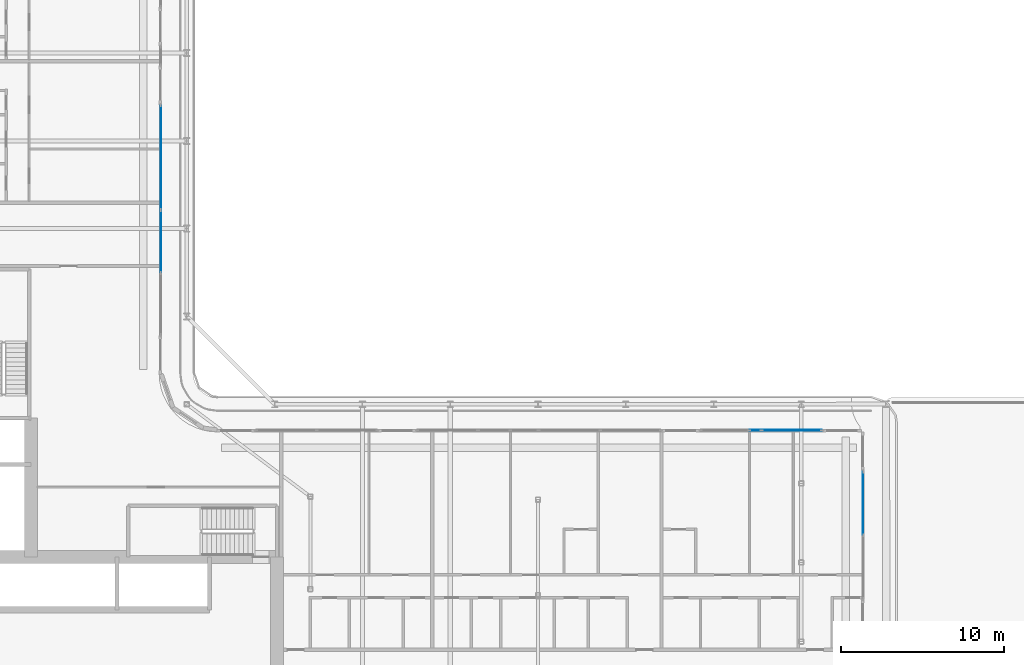
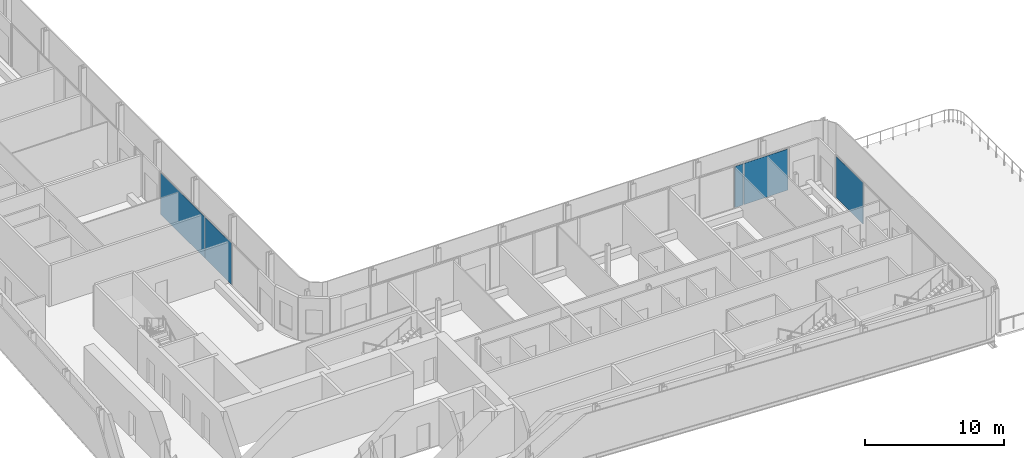
# One storey, part 10 of 27: 5 plates, 4 elements without a shape of their own.
"""IFC4 building model written with IfcOpenShell, lengths in metres."""

from ifc_helpers import new_model, si_unit, direction, frame, origin, origin_2d, place, context, subcontext, project, spatial, rectangle, extrude, material, layer, layer_set, type_object, element, aggregate, save


model = new_model("IFC4")

# Units and contexts
model_context = context("Model", 3, precision=1e-05, world=origin(), true_north=direction((0.0, 1.0)))
body_context = subcontext(model_context, "Body", "Model", "MODEL_VIEW")
ifc_project = project(units=[si_unit("LENGTHUNIT", "METRE"), si_unit("AREAUNIT", "SQUARE_METRE"), si_unit("VOLUMEUNIT", "CUBIC_METRE"), si_unit("PLANEANGLEUNIT", "RADIAN"), si_unit("MASSUNIT", "GRAM", prefix="KILO")], contexts=[model_context])

# Site, building, storey
site_placement = place(None, origin())
site = spatial("IfcSite", under=ifc_project, at=site_placement, CompositionType="ELEMENT")
building_placement = place(site_placement, origin())
building = spatial("IfcBuilding", under=site, at=building_placement, Name="Kheshtan School and Residences Tower", CompositionType="ELEMENT")
storey_placement = place(building_placement, frame((0.0, 0.0, 152.60009765625)))
storey = spatial("IfcBuildingStorey", under=building, at=storey_placement, Name="L35", CompositionType="ELEMENT", Elevation=152.60009765625)

# Curtain wall, plate
ifc_material = material(Name="Clear low-e glass in thermally broken aluminium frame", Category="aluminium")
ifc_layer_1 = layer(ifc_material, 0.199951171875)
ifc_layer_set_1 = layer_set([ifc_layer_1], Name="Curtain wall CW-L")
curtain_wall_type = type_object("IfcCurtainWallType", Name="Curtain wall CW-L", PredefinedType="NOTDEFINED", material=ifc_layer_set_1)
curtain_wall_1_placement = place(storey_placement, origin())
curtain_wall_1 = element("IfcCurtainWall", 1, at=curtain_wall_1_placement, inside=storey, type_object=curtain_wall_type, Name="Curtain wall CWL8h", PredefinedType="NOTDEFINED")
ifc_layer_2 = layer(ifc_material, 0.031982421875)
ifc_layer_set_2 = layer_set([ifc_layer_2], Name="CW-L glass panel")
plate_type = type_object("IfcPlateType", Name="CW-L glass panel", PredefinedType="CURTAIN_PANEL", material=ifc_layer_set_2)
plate_1_placement = place(storey_placement, frame((46.0, 60.77099609375, 0.0), z_axis=(0.0, 0.0, 1.0), x_axis=(0.0, -1.0, 0.0)))
plate_1 = element("IfcPlate", 2, at=plate_1_placement, type_object=plate_type, Name="CWL8h panel 1.1", PredefinedType="CURTAIN_PANEL", context=body_context, shape_type="SweptSolid", body=[
    extrude(rectangle(XDim=6.3740234375, YDim=0.031982421875, at=origin_2d()), origin(), (0.0, 0.0, 1.0), 3.6298828125),
])
aggregate(curtain_wall_1, [plate_1])

curtain_wall_2_placement = place(storey_placement, origin())
curtain_wall_2 = element("IfcCurtainWall", 3, at=curtain_wall_2_placement, inside=storey, type_object=curtain_wall_type, Name="Curtain wall CWL8", PredefinedType="NOTDEFINED")
plate_2_placement = place(storey_placement, frame((46.0, 55.615478515625, 0.0), z_axis=(0.0, 0.0, 1.0), x_axis=(0.0, -1.0, 0.0)))
plate_2 = element("IfcPlate", 4, at=plate_2_placement, type_object=plate_type, Name="CWL8 panel 1.1", PredefinedType="CURTAIN_PANEL", context=body_context, shape_type="SweptSolid", body=[
    extrude(rectangle(XDim=3.81689453125, YDim=0.031982421875, at=origin_2d()), origin(), (0.0, 0.0, 1.0), 3.6298828125),
])
aggregate(curtain_wall_2, [plate_2])

# Curtain wall, plates
curtain_wall_3_placement = place(storey_placement, origin())
curtain_wall_3 = element("IfcCurtainWall", 5, at=curtain_wall_3_placement, inside=storey, type_object=curtain_wall_type, Name="Curtain wall CWL12", PredefinedType="NOTDEFINED")
plate_3_placement = place(storey_placement, frame((82.570556640625, 44.0, 0.0), z_axis=(0.0, 0.0, 1.0), x_axis=(1.0, 0.0, 0.0)))
plate_3 = element("IfcPlate", 6, at=plate_3_placement, type_object=plate_type, Name="CWL12 panel 2.1", PredefinedType="CURTAIN_PANEL", context=body_context, shape_type="SweptSolid", body=[
    extrude(rectangle(XDim=0.68115234375, YDim=0.031982421875, at=origin_2d()), origin(), (0.0, 0.0, 1.0), 3.6298828125),
])
plate_4_placement = place(storey_placement, frame((84.8056640625, 44.0, 0.0), z_axis=(0.0, 0.0, 1.0), x_axis=(1.0, 0.0, 0.0)))
plate_4 = element("IfcPlate", 7, at=plate_4_placement, type_object=plate_type, Name="CWL12 panel 3.1", PredefinedType="CURTAIN_PANEL", context=body_context, shape_type="SweptSolid", body=[
    extrude(rectangle(XDim=3.668701171875, YDim=0.031982421875, at=origin_2d()), origin(), (0.0, 0.0, 1.0), 3.6298828125),
])
aggregate(curtain_wall_3, [plate_3, plate_4])

# Curtain wall, plate
curtain_wall_4_placement = place(storey_placement, origin())
curtain_wall_4 = element("IfcCurtainWall", 8, at=curtain_wall_4_placement, inside=storey, type_object=curtain_wall_type, Name="Curtain wall CWL13", PredefinedType="NOTDEFINED")
plate_5_placement = place(storey_placement, frame((89.199951171875, 39.5078125, 0.0), z_axis=(0.0, 0.0, 1.0), x_axis=(0.0, -1.0, 0.0)))
plate_5 = element("IfcPlate", 9, at=plate_5_placement, type_object=plate_type, Name="CWL13 panel 1.1", PredefinedType="CURTAIN_PANEL", context=body_context, shape_type="SweptSolid", body=[
    extrude(rectangle(XDim=3.8642578125, YDim=0.031982421875, at=origin_2d()), origin(), (0.0, 0.0, 1.0), 3.6298828125),
])
aggregate(curtain_wall_4, [plate_5])

save(model, "model.ifc")
